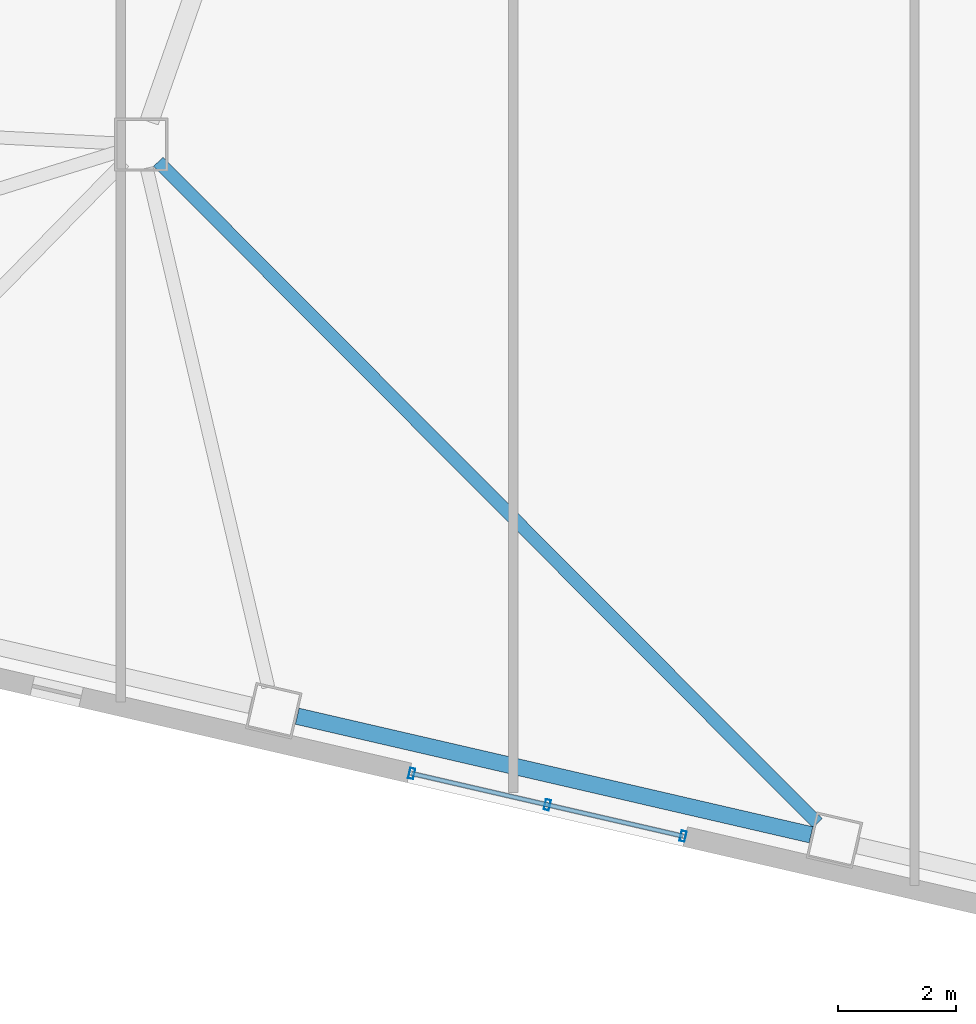
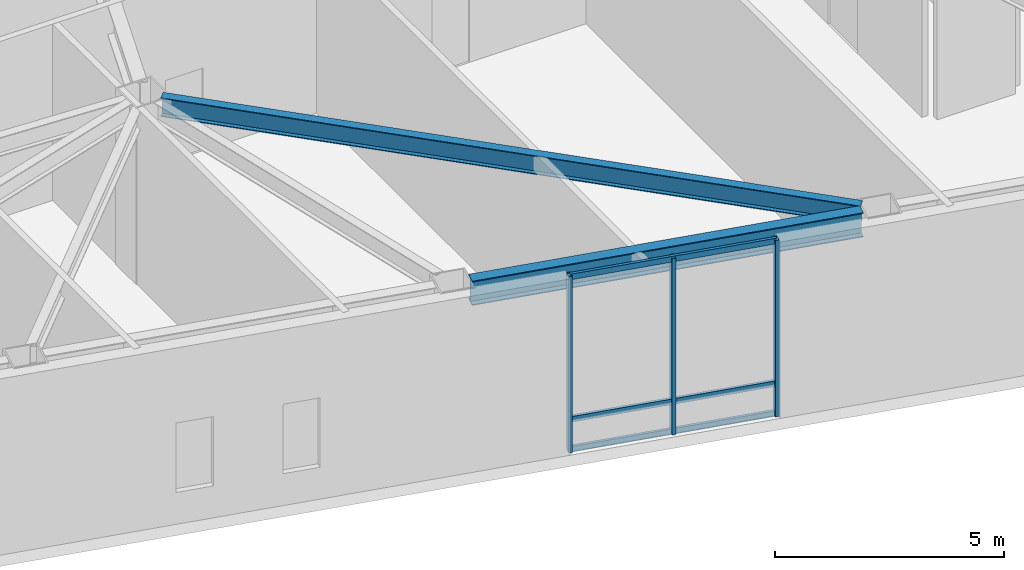
# One storey, part 2 of 20: 6 members, 2 beams, 1 element without a shape of its own.
"""IFC4 building model written with IfcOpenShell, lengths in metres."""

from ifc_helpers import new_model, si_unit, direction, frame, origin, origin_2d, place, context, subcontext, project, spatial, hollow_rectangle, i_section, extrude, material, layer, layer_set, material_profile, profile_set, type_object, element, aggregate, save


model = new_model("IFC4")

# Units and contexts
model_context = context("Model", 3, precision=1e-05, world=origin(), true_north=direction((0.0, 1.0)))
body_context = subcontext(model_context, "Body", "Model", "MODEL_VIEW")
ifc_project = project(units=[si_unit("LENGTHUNIT", "METRE"), si_unit("AREAUNIT", "SQUARE_METRE"), si_unit("VOLUMEUNIT", "CUBIC_METRE"), si_unit("PLANEANGLEUNIT", "RADIAN"), si_unit("MASSUNIT", "GRAM", prefix="KILO")], contexts=[model_context])

# Site, building, storey
site_placement = place(None, origin())
site = spatial("IfcSite", under=ifc_project, at=site_placement, CompositionType="ELEMENT")
building_placement = place(site_placement, origin())
building = spatial("IfcBuilding", under=site, at=building_placement, Name="Tavrogorsk Clinical Tower", CompositionType="ELEMENT")
storey_placement = place(building_placement, frame((0.0, 0.0, 23.39990234375)))
storey = spatial("IfcBuildingStorey", under=building, at=storey_placement, Name="L04", CompositionType="ELEMENT", Elevation=23.39990234375)

# Curtain wall, members
ifc_material_1 = material(Name="Anodised aluminium and triple IGU glazing", Category="aluminium")
ifc_layer = layer(ifc_material_1, 0.179931640625)
ifc_layer_set = layer_set([ifc_layer], Name="Anodised aluminium and triple IGU glazing")
curtain_wall_type = type_object("IfcCurtainWallType", Name="CW3_SouthSlot", PredefinedType="NOTDEFINED", material=ifc_layer_set)
curtain_wall_placement = place(storey_placement, origin())
curtain_wall = element("IfcCurtainWall", 1, at=curtain_wall_placement, inside=storey, type_object=curtain_wall_type, Name="L04 Curtain Wall CW-L04-S-SLOT-1", PredefinedType="NOTDEFINED")
ifc_material_2 = material(Name="Anodised aluminium alloy AW-6060", Category="aluminium")
ifc_material_profile_1 = material_profile(ifc_material_2, hollow_rectangle(XDim=0.090087890625, YDim=0.179931640625, WallThickness=0.00634765625, at=origin_2d()), Name="RHS-180x90x6.3")
ifc_profile_set_1 = profile_set([ifc_material_profile_1], Name="Anodised aluminium alloy AW-6060")
member_type_1 = type_object("IfcMemberType", Name="CwMullion_180x90", PredefinedType="MULLION", material=ifc_profile_set_1)
member_1_placement = place(storey_placement, frame((-19.917724609375, -23.8544921875, 0.0), z_axis=(0.0, 0.0, 1.0), x_axis=(0.974370046851, -0.224951132027, 0.0)))
member_1 = element("IfcMember", 2, at=member_1_placement, type_object=member_type_1, Name="CW-L04-S-SLOT-1 Mullion 1", PredefinedType="MULLION", context=body_context, shape_type="SweptSolid", body=[
    extrude(hollow_rectangle(XDim=0.090087890625, YDim=0.179931640625, WallThickness=0.00634765625, at=origin_2d()), origin(), (0.0, 0.0, 1.0), 4.7001953125),
])
member_2_placement = place(storey_placement, frame((-17.619384765625, -24.38525390625, 0.0), z_axis=(0.0, 0.0, 1.0), x_axis=(0.974370046851, -0.224951132027, 0.0)))
member_2 = element("IfcMember", 3, at=member_2_placement, type_object=member_type_1, Name="CW-L04-S-SLOT-1 Mullion 2", PredefinedType="MULLION", context=body_context, shape_type="SweptSolid", body=[
    extrude(hollow_rectangle(XDim=0.090087890625, YDim=0.179931640625, WallThickness=0.00634765625, at=origin_2d()), origin(), (0.0, 0.0, 1.0), 4.7001953125),
])
member_3_placement = place(storey_placement, frame((-15.32080078125, -24.916015625, 0.0), z_axis=(0.0, 0.0, 1.0), x_axis=(0.974370046851, -0.224951132027, 0.0)))
member_3 = element("IfcMember", 4, at=member_3_placement, type_object=member_type_1, Name="CW-L04-S-SLOT-1 Mullion 3", PredefinedType="MULLION", context=body_context, shape_type="SweptSolid", body=[
    extrude(hollow_rectangle(XDim=0.090087890625, YDim=0.179931640625, WallThickness=0.00634765625, at=origin_2d()), origin(), (0.0, 0.0, 1.0), 4.7001953125),
])
ifc_material_3 = material(Name="Anodised aluminium alloy AW-6060", Category="aluminium")
ifc_material_profile_2 = material_profile(ifc_material_3, hollow_rectangle(XDim=0.074951171875, YDim=0.14990234375, WallThickness=0.0048828125, at=origin_2d()), Name="RHS-150x75x5")
ifc_profile_set_2 = profile_set([ifc_material_profile_2], Name="Anodised aluminium alloy AW-6060")
member_type_2 = type_object("IfcMemberType", Name="CwTransom_150x75", PredefinedType="USERDEFINED", material=ifc_profile_set_2)
member_4_placement = place(storey_placement, frame((-19.917724609375, -23.8544921875, 0.050048828125), z_axis=(0.974358915979, -0.224999339672, 0.0), x_axis=(0.224999339672, 0.974358915979, 0.0)))
member_4 = element("IfcMember", 5, at=member_4_placement, type_object=member_type_2, Name="CW-L04-S-SLOT-1 Transom 1", ObjectType="TRANSOM", PredefinedType="USERDEFINED", context=body_context, shape_type="SweptSolid", body=[
    extrude(hollow_rectangle(XDim=0.074951171875, YDim=0.14990234375, WallThickness=0.0048828125, at=origin_2d()), origin(), (0.0, 0.0, 1.0), 4.718017578125),
])
member_5_placement = place(storey_placement, frame((-19.917724609375, -23.8544921875, 0.85009765625), z_axis=(0.974358915979, -0.224999339672, 0.0), x_axis=(0.224999339672, 0.974358915979, 0.0)))
member_5 = element("IfcMember", 6, at=member_5_placement, type_object=member_type_2, Name="CW-L04-S-SLOT-1 Transom 2", ObjectType="TRANSOM", PredefinedType="USERDEFINED", context=body_context, shape_type="SweptSolid", body=[
    extrude(hollow_rectangle(XDim=0.074951171875, YDim=0.14990234375, WallThickness=0.0048828125, at=origin_2d()), origin(), (0.0, 0.0, 1.0), 4.718017578125),
])
member_6_placement = place(storey_placement, frame((-19.917724609375, -23.8544921875, 4.650146484375), z_axis=(0.974358915979, -0.224999339672, 0.0), x_axis=(0.224999339672, 0.974358915979, 0.0)))
member_6 = element("IfcMember", 7, at=member_6_placement, type_object=member_type_2, Name="CW-L04-S-SLOT-1 Transom 3", ObjectType="TRANSOM", PredefinedType="USERDEFINED", context=body_context, shape_type="SweptSolid", body=[
    extrude(hollow_rectangle(XDim=0.074951171875, YDim=0.14990234375, WallThickness=0.0048828125, at=origin_2d()), origin(), (0.0, 0.0, 1.0), 4.718017578125),
])
aggregate(curtain_wall, [member_1, member_2, member_3, member_4, member_5, member_6])

# Beams
ifc_material_4 = material(Name="Structural steel S355", Category="steel")
ifc_material_profile_3 = material_profile(ifc_material_4, i_section(OverallWidth=0.219970703125, OverallDepth=0.5, WebThickness=0.012939453125, FlangeThickness=0.02001953125, at=origin_2d()), Name="B-500x220x13x20")
ifc_profile_set_3 = profile_set([ifc_material_profile_3], Name="Structural steel S355")
beam_type_1 = type_object("IfcBeamType", Name="FloorBeam_B500", PredefinedType="BEAM", material=ifc_profile_set_3)
beam_1_placement = place(storey_placement, frame((-24.210693359375, -13.490478515625, 4.4501953125), z_axis=(0.705909757155, -0.70830178226, 0.0), x_axis=(0.70830178226, 0.705909757155, 0.0)))
element("IfcBeam", 8, at=beam_1_placement, inside=storey, type_object=beam_type_1, Name="L04 Radial Floor Beam S4", PredefinedType="BEAM", context=body_context, shape_type="SweptSolid", body=[
    extrude(i_section(OverallWidth=0.219970703125, OverallDepth=0.5, WebThickness=0.012939453125, FlangeThickness=0.02001953125, at=origin_2d()), origin(), (0.0, 0.0, 1.0), 15.820068359375),
])
ifc_material_5 = material(Name="Structural steel S390", Category="steel")
ifc_material_profile_4 = material_profile(ifc_material_5, i_section(OverallWidth=0.280029296875, OverallDepth=0.64990234375, WebThickness=0.01611328125, FlangeThickness=0.02490234375, at=origin_2d()), Name="B-650x280x16x25")
ifc_profile_set_4 = profile_set([ifc_material_profile_4], Name="Structural steel S390")
beam_type_2 = type_object("IfcBeamType", Name="SpandrelBeam_B650", PredefinedType="SPANDREL", material=ifc_profile_set_4)
beam_2_placement = place(storey_placement, frame((-21.8564453125, -22.8837890625, 4.375), z_axis=(0.974372766602, -0.224939351168, 0.0), x_axis=(0.224939351168, 0.974372766602, 0.0)))
element("IfcBeam", 9, at=beam_2_placement, inside=storey, type_object=beam_type_2, Name="L04 Perimeter Spandrel S3-S4", PredefinedType="SPANDREL", context=body_context, shape_type="SweptSolid", body=[
    extrude(i_section(OverallWidth=0.280029296875, OverallDepth=0.64990234375, WebThickness=0.01611328125, FlangeThickness=0.02490234375, at=origin_2d()), origin(), (0.0, 0.0, 1.0), 8.9326171875),
])

save(model, "model.ifc")
